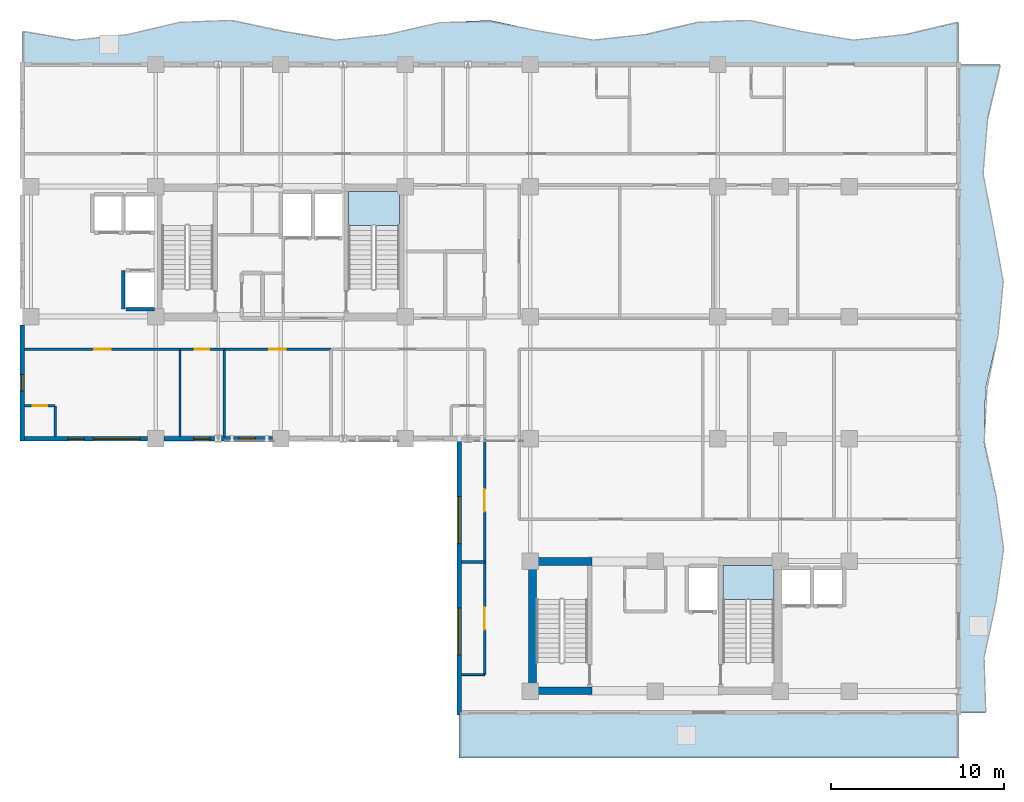
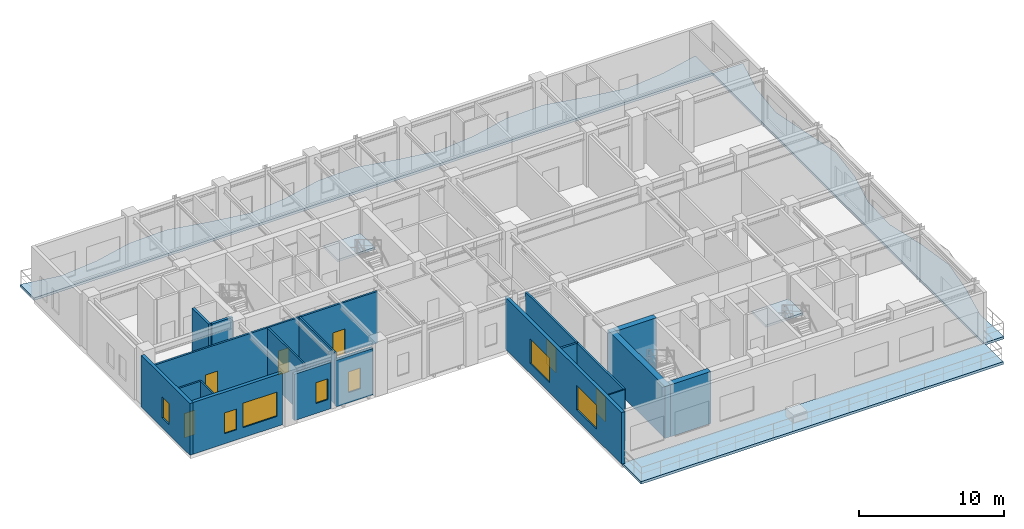
# One storey, part 5 of 14: 21 walls, 7 windows, 6 doors, 5 slabs, 13 openings, 2 elements without a shape of their own.
"""IFC4 building model written with IfcOpenShell, lengths in metres."""

from ifc_helpers import new_model, si_unit, direction, frame, frame_2d, origin, place, context, subcontext, project, spatial, polyline, rectangle, outline, extrude, material, layer, layer_set, type_object, element, fill, aggregate, save


model = new_model("IFC4")

# Units and contexts
model_context = context("Model", 3, precision=1e-05, world=origin(), true_north=direction((0.0, 1.0)))
body_context = subcontext(model_context, "Body", "Model", "MODEL_VIEW")
ifc_project = project(units=[si_unit("LENGTHUNIT", "METRE"), si_unit("AREAUNIT", "SQUARE_METRE"), si_unit("VOLUMEUNIT", "CUBIC_METRE"), si_unit("PLANEANGLEUNIT", "RADIAN"), si_unit("MASSUNIT", "GRAM", prefix="KILO")], contexts=[model_context])

# Site, building, storey
site_placement = place(None, origin())
site = spatial("IfcSite", under=ifc_project, at=site_placement, CompositionType="ELEMENT")
building_placement = place(site_placement, origin())
building = spatial("IfcBuilding", under=site, at=building_placement, Name="Kaliganga Portal Commons", CompositionType="ELEMENT")
storey_placement = place(building_placement, frame((0.0, 0.0, 197.199951171875)))
storey = spatial("IfcBuildingStorey", under=building, at=storey_placement, Name="L50", CompositionType="ELEMENT", Elevation=197.199951171875)

# Slabs
ifc_material_1 = material(Name="Concrete C40/50", Category="concrete")
ifc_layer_1 = layer(ifc_material_1, 0.2099609375)
ifc_layer_set_1 = layer_set([ifc_layer_1], Name="Concrete C40/50")
slab_type_1 = type_object("IfcSlabType", Name="SLB-BALC-210", PredefinedType="FLOOR", material=ifc_layer_set_1)
slab_1_placement = place(storey_placement, frame((0.0, 0.0, -0.2099609375)))
element("IfcSlab", 1, at=slab_1_placement, inside=storey, type_object=slab_type_1, Name="Scalloped Tree-Planter Balcony Slab L50 balc_north", PredefinedType="FLOOR", context=body_context, shape_type="SweptSolid", body=[
    extrude(outline(polyline([(60.699951171875, 43.199951171875), (60.699951171875, 45.62158203125), (57.699951171875, 44.91455078125), (54.699951171875, 44.589599609375), (51.699951171875, 45.095703125), (48.699951171875, 45.733642578125), (45.699951171875, 45.62158203125), (42.699951171875, 44.91455078125), (39.699951171875, 44.589599609375), (36.699951171875, 45.095703125), (33.699951171875, 45.733642578125), (30.699951171875, 45.62158203125), (27.699951171875, 44.91455078125), (24.699951171875, 44.589599609375), (21.699951171875, 45.095703125), (18.699951171875, 45.733642578125), (15.699951171875, 45.62158203125), (12.699951171875, 44.91455078125), (9.699951171875, 44.589599609375), (6.699951171875, 45.095703125), (6.699951171875, 43.199951171875), (60.699951171875, 43.199951171875)])), origin(), (0.0, 0.0, 1.0), 0.2099609375),
])
slab_2_placement = place(storey_placement, frame((0.0, 0.0, -0.2099609375)))
element("IfcSlab", 2, at=slab_2_placement, inside=storey, type_object=slab_type_1, Name="Scalloped Tree-Planter Balcony Slab L50 balc_east", PredefinedType="FLOOR", context=body_context, shape_type="SweptSolid", body=[
    extrude(outline(polyline([(60.699951171875, 5.800048828125), (62.260498046875, 5.800048828125), (62.16259765625, 8.916748046875), (62.844482421875, 12.033203125), (63.300048828125, 15.14990234375), (62.856689453125, 18.2666015625), (62.1689453125, 21.38330078125), (62.25146484375, 24.5), (62.982421875, 27.61669921875), (63.283447265625, 30.7333984375), (62.710205078125, 33.85009765625), (62.108642578125, 36.966796875), (62.366455078125, 40.083251953125), (63.103271484375, 43.199951171875), (60.699951171875, 43.199951171875), (60.699951171875, 5.800048828125)])), origin(), (0.0, 0.0, 1.0), 0.2099609375),
])

# Stair, slab
stair_type = type_object("IfcStairType", Name="ST-CORE-DOGLEG", PredefinedType="HALF_TURN_STAIR", material=ifc_material_1)
stair_1_placement = place(storey_placement, origin())
stair_1 = element("IfcStair", 3, at=stair_1_placement, inside=storey, type_object=stair_type, Name="L50 Protected Exit Stair ST-A2", PredefinedType="HALF_TURN_STAIR")
ifc_layer_2 = layer(ifc_material_1, 0.199951171875)
ifc_layer_set_2 = layer_set([ifc_layer_2], Name="Concrete C40/50")
slab_type_2 = type_object("IfcSlabType", Name="SLB-STAIR-LND", PredefinedType="LANDING", material=ifc_layer_set_2)
slab_3_placement = place(storey_placement, frame((0.0, 0.0, 2.10009765625)))
slab_3 = element("IfcSlab", 4, at=slab_3_placement, type_object=slab_type_2, Name="ST-A2 landing 1", PredefinedType="LANDING", context=body_context, shape_type="SweptSolid", body=[
    extrude(outline(polyline([(28.449951171875, 33.889892578125), (28.449951171875, 35.85009765625), (25.5, 35.85009765625), (25.5, 33.889892578125), (28.449951171875, 33.889892578125)])), origin(), (0.0, 0.0, 1.0), 0.199951171875),
])
aggregate(stair_1, [slab_3])

stair_2_placement = place(storey_placement, origin())
stair_2 = element("IfcStair", 5, at=stair_2_placement, inside=storey, type_object=stair_type, Name="L50 Protected Exit Stair ST-B2", PredefinedType="HALF_TURN_STAIR")
slab_4_placement = place(storey_placement, frame((0.0, 0.0, 2.10009765625)))
slab_4 = element("IfcSlab", 6, at=slab_4_placement, type_object=slab_type_2, Name="ST-B2 landing 1", PredefinedType="LANDING", context=body_context, shape_type="SweptSolid", body=[
    extrude(outline(polyline([(50.050048828125, 12.340087890625), (50.050048828125, 14.300048828125), (47.10009765625, 14.300048828125), (47.10009765625, 12.340087890625), (50.050048828125, 12.340087890625)])), origin(), (0.0, 0.0, 1.0), 0.199951171875),
])
aggregate(stair_2, [slab_4])

# Slab
ifc_layer_3 = layer(ifc_material_1, 0.219970703125)
ifc_layer_set_3 = layer_set([ifc_layer_3], Name="Concrete C40/50")
slab_type_3 = type_object("IfcSlabType", Name="SLB-TERR-220", PredefinedType="FLOOR", material=ifc_layer_set_3)
slab_5_placement = place(storey_placement, frame((0.0, 0.0, -0.219970703125)))
element("IfcSlab", 7, at=slab_5_placement, inside=storey, type_object=slab_type_3, Name="Block 4 Setback Sky-Garden Terrace", PredefinedType="FLOOR", context=body_context, shape_type="SweptSolid", body=[
    extrude(outline(polyline([(31.89990234375, 3.199951171875), (60.699951171875, 3.199951171875), (60.699951171875, 5.800048828125), (31.89990234375, 5.800048828125), (31.89990234375, 3.199951171875)])), origin(), (0.0, 0.0, 1.0), 0.219970703125),
])

# Walls
ifc_material_2 = material(Name="Concrete C60/75", Category="concrete")
ifc_layer_4 = layer(ifc_material_2, 0.449951171875)
ifc_layer_set_4 = layer_set([ifc_layer_4], Name="Concrete C60/75")
wall_type_1 = type_object("IfcWallType", Name="WL-CORE-450", PredefinedType="SHEAR", material=ifc_layer_set_4)
wall_1_placement = place(storey_placement, frame((36.125, 6.85009765625, 0.0), z_axis=(0.0, 0.0, 1.0), x_axis=(0.0, 1.0, 0.0)))
element("IfcWall", 8, at=wall_1_placement, inside=storey, type_object=wall_type_1, Name="Core B West Shear Wall L50", PredefinedType="SHEAR", context=body_context, shape_type="SweptSolid", body=[
    extrude(rectangle(XDim=7.89990234375, YDim=0.449951171875, at=frame_2d((3.949951171875, 0.0))), origin(), (0.0, 0.0, 1.0), 4.3701171875),
])
for number, where, z_axis, x_axis, name in (
    (9, (36.35009765625, 7.074951171875, 0.0), (0.0, 0.0, 1.0), (1.0, 0.0, 0.0), "Core B S-West Shear Wall L50"),
    (10, (36.35009765625, 14.52490234375, 0.0), (0.0, 0.0, 1.0), (1.0, 0.0, 0.0), "Core B N-West Shear Wall L50"),
):
    element("IfcWall", number, at=place(storey_placement, frame(where, z_axis=z_axis, x_axis=x_axis)), inside=storey, type_object=wall_type_1, Name=name, PredefinedType="SHEAR", context=body_context, shape_type="SweptSolid", body=[
        extrude(rectangle(XDim=3.199951171875, YDim=0.449951171875, at=frame_2d((1.60009765625, 0.0))), origin(), (0.0, 0.0, 1.0), 4.3701171875),
    ])

# Wall, opening, window
ifc_material_3 = material(Name="Insulated Aluminium-Clad Spandrel Assembly", Category="aluminium")
ifc_layer_5 = layer(ifc_material_3, 0.260009765625)
ifc_layer_set_5 = layer_set([ifc_layer_5], Name="Insulated Aluminium-Clad Spandrel Assembly")
wall_type_2 = type_object("IfcWallType", Name="WL-EXT-SPAND-260", PredefinedType="STANDARD", material=ifc_layer_set_5)
wall_2_placement = place(storey_placement, frame((6.699951171875, 21.469970703125, 0.0), z_axis=(0.0, 0.0, 1.0), x_axis=(0.0, 1.0, 0.0)))
wall_2 = element("IfcWall", 11, at=wall_2_placement, inside=storey, type_object=wall_type_2, Name="Exterior Envelope Wall L50 P1-E03-S3", PredefinedType="STANDARD", context=body_context, shape_type="SweptSolid", body=[
    extrude(rectangle(XDim=6.7041015625, YDim=0.260009765625, at=frame_2d((3.35205078125, 0.0))), origin(), (0.0, 0.0, 1.0), 4.35009765625),
])
opening_1_placement = place(wall_2_placement, frame((2.876953125, 0.0, 0.85009765625)))
opening_1 = element("IfcOpeningElement", 12, at=opening_1_placement, cuts=wall_2, Name="Opening W-04", PredefinedType="OPENING", context=body_context, shape_type="SweptSolid", body=[
    extrude(rectangle(XDim=0.949951171875, YDim=1.75, at=frame_2d((0.47509765625, 0.875))), frame((0.0, 0.14013671875, 0.0), z_axis=(0.0, -1.0, 0.0), x_axis=(1.0, 0.0, 0.0)), (0.0, 0.0, 1.0), 0.280029296875),
])
ifc_material_4 = material(Name="Thermally Broken Aluminium and Low-E Double Glazing", Category="aluminium")
window_type_1 = type_object("IfcWindowType", Name="WIN-NARROW-950", PartitioningType="SINGLE_PANEL", PredefinedType="WINDOW", material=ifc_material_4)
window_1_placement = place(opening_1_placement, origin())
window_1 = element("IfcWindow", 13, at=window_1_placement, inside=storey, type_object=window_type_1, Name="Facade Window L50-P1E03S3-N0", OverallHeight=1.75, OverallWidth=0.949951171875, PartitioningType="SINGLE_PANEL", PredefinedType="WINDOW", context=body_context, shape_type="SweptSolid", body=[
    extrude(rectangle(XDim=0.949951171875, YDim=1.75, at=frame_2d((0.47509765625, 0.875))), frame((0.0, 0.030029296875, 0.0), z_axis=(0.0, -1.0, 0.0), x_axis=(1.0, 0.0, 0.0)), (0.0, 0.0, 1.0), 0.06005859375),
])
fill(opening_1, window_1)

# Wall, openings, windows
wall_3_placement = place(storey_placement, frame((13.924072265625, 21.60009765625, 0.0), z_axis=(0.0, 0.0, 1.0), x_axis=(-1.0, 0.0, 0.0)))
wall_3 = element("IfcWall", 14, at=wall_3_placement, inside=storey, type_object=wall_type_2, Name="Exterior Envelope Wall L50 P1-E04-S1", PredefinedType="STANDARD", context=body_context, shape_type="SweptSolid", body=[
    extrude(rectangle(XDim=7.089111328125, YDim=0.260009765625, at=frame_2d((3.54443359375, 0.0))), origin(), (0.0, 0.0, 1.0), 4.35009765625),
])
opening_2_placement = place(wall_3_placement, frame((0.422119140625, 0.0, 0.85009765625)))
opening_2 = element("IfcOpeningElement", 15, at=opening_2_placement, cuts=wall_3, Name="Opening W-07", PredefinedType="OPENING", context=body_context, shape_type="SweptSolid", body=[
    extrude(rectangle(XDim=2.699951171875, YDim=2.050048828125, at=frame_2d((1.35009765625, 1.02490234375))), frame((0.0, 0.14013671875, 0.0), z_axis=(0.0, -1.0, 0.0), x_axis=(1.0, 0.0, 0.0)), (0.0, 0.0, 1.0), 0.280029296875),
])
opening_3_placement = place(wall_3_placement, frame((3.63671875, 0.0, 0.85009765625)))
opening_3 = element("IfcOpeningElement", 16, at=opening_3_placement, cuts=wall_3, Name="Opening W-04", PredefinedType="OPENING", context=body_context, shape_type="SweptSolid", body=[
    extrude(rectangle(XDim=0.949951171875, YDim=1.75, at=frame_2d((0.47509765625, 0.875))), frame((0.0, 0.14013671875, 0.0), z_axis=(0.0, -1.0, 0.0), x_axis=(1.0, 0.0, 0.0)), (0.0, 0.0, 1.0), 0.280029296875),
])
window_type_2 = type_object("IfcWindowType", Name="WIN-LOUNGE-2700", PartitioningType="TRIPLE_PANEL_VERTICAL", PredefinedType="WINDOW", material=ifc_material_4)
window_2_placement = place(opening_2_placement, origin())
window_2 = element("IfcWindow", 17, at=window_2_placement, inside=storey, type_object=window_type_2, Name="Facade Window L50-P1E04S1-00", OverallHeight=2.050048828125, OverallWidth=2.699951171875, PartitioningType="SINGLE_PANEL", PredefinedType="WINDOW", context=body_context, shape_type="SweptSolid", body=[
    extrude(rectangle(XDim=2.699951171875, YDim=2.050048828125, at=frame_2d((1.35009765625, 1.02490234375))), frame((0.0, 0.030029296875, 0.0), z_axis=(0.0, -1.0, 0.0), x_axis=(1.0, 0.0, 0.0)), (0.0, 0.0, 1.0), 0.06005859375),
])
fill(opening_2, window_2)
window_3_placement = place(opening_3_placement, origin())
window_3 = element("IfcWindow", 18, at=window_3_placement, inside=storey, type_object=window_type_1, Name="Facade Window L50-P1E04S1-N6", OverallHeight=1.75, OverallWidth=0.949951171875, PartitioningType="SINGLE_PANEL", PredefinedType="WINDOW", context=body_context, shape_type="SweptSolid", body=[
    extrude(rectangle(XDim=0.949951171875, YDim=1.75, at=frame_2d((0.47509765625, 0.875))), frame((0.0, 0.030029296875, 0.0), z_axis=(0.0, -1.0, 0.0), x_axis=(1.0, 0.0, 0.0)), (0.0, 0.0, 1.0), 0.06005859375),
])
fill(opening_3, window_3)

# Wall, opening, window
wall_4_placement = place(storey_placement, frame((17.799560546875, 21.60009765625, 0.0), z_axis=(0.0, 0.0, 1.0), x_axis=(-1.0, 0.0, 0.0)))
wall_4 = element("IfcWall", 19, at=wall_4_placement, inside=storey, type_object=wall_type_2, Name="Exterior Envelope Wall L50 P1-E04-S2", PredefinedType="STANDARD", context=body_context, shape_type="SweptSolid", body=[
    extrude(rectangle(XDim=2.923583984375, YDim=0.260009765625, at=frame_2d((1.4619140625, 0.0))), origin(), (0.0, 0.0, 1.0), 3.900146484375),
])
opening_4_placement = place(wall_4_placement, frame((0.26171875, 0.0, 0.85009765625)))
opening_4 = element("IfcOpeningElement", 20, at=opening_4_placement, cuts=wall_4, Name="Opening W-04", PredefinedType="OPENING", context=body_context, shape_type="SweptSolid", body=[
    extrude(rectangle(XDim=0.949951171875, YDim=1.75, at=frame_2d((0.47509765625, 0.875))), frame((0.0, 0.14013671875, 0.0), z_axis=(0.0, -1.0, 0.0), x_axis=(1.0, 0.0, 0.0)), (0.0, 0.0, 1.0), 0.280029296875),
])
window_4_placement = place(opening_4_placement, origin())
window_4 = element("IfcWindow", 21, at=window_4_placement, inside=storey, type_object=window_type_1, Name="Facade Window L50-P1E04S2-N1", OverallHeight=1.75, OverallWidth=0.949951171875, PartitioningType="SINGLE_PANEL", PredefinedType="WINDOW", context=body_context, shape_type="SweptSolid", body=[
    extrude(rectangle(XDim=0.949951171875, YDim=1.75, at=frame_2d((0.47509765625, 0.875))), frame((0.0, 0.030029296875, 0.0), z_axis=(0.0, -1.0, 0.0), x_axis=(1.0, 0.0, 0.0)), (0.0, 0.0, 1.0), 0.06005859375),
])
fill(opening_4, window_4)

wall_5_placement = place(storey_placement, frame((21.1240234375, 21.60009765625, 0.0), z_axis=(0.0, 0.0, 1.0), x_axis=(-1.0, 0.0, 0.0)))
wall_5 = element("IfcWall", 22, at=wall_5_placement, inside=storey, type_object=wall_type_2, Name="Exterior Envelope Wall L50 P1-E04-S3", PredefinedType="STANDARD", context=body_context, shape_type="SweptSolid", body=[
    extrude(rectangle(XDim=2.923583984375, YDim=0.260009765625, at=frame_2d((1.4619140625, 0.0))), origin(), (0.0, 0.0, 1.0), 3.900146484375),
])
opening_5_placement = place(wall_5_placement, frame((0.98681640625, 0.0, 0.85009765625)))
opening_5 = element("IfcOpeningElement", 23, at=opening_5_placement, cuts=wall_5, Name="Opening W-04", PredefinedType="OPENING", context=body_context, shape_type="SweptSolid", body=[
    extrude(rectangle(XDim=0.949951171875, YDim=1.75, at=frame_2d((0.47509765625, 0.875))), frame((0.0, 0.14013671875, 0.0), z_axis=(0.0, -1.0, 0.0), x_axis=(1.0, 0.0, 0.0)), (0.0, 0.0, 1.0), 0.280029296875),
])
window_5_placement = place(opening_5_placement, origin())
window_5 = element("IfcWindow", 24, at=window_5_placement, inside=storey, type_object=window_type_1, Name="Facade Window L50-P1E04S3-00", OverallHeight=1.75, OverallWidth=0.949951171875, PartitioningType="SINGLE_PANEL", PredefinedType="WINDOW", context=body_context, shape_type="SweptSolid", body=[
    extrude(rectangle(XDim=0.949951171875, YDim=1.75, at=frame_2d((0.47509765625, 0.875))), frame((0.0, 0.030029296875, 0.0), z_axis=(0.0, -1.0, 0.0), x_axis=(1.0, 0.0, 0.0)), (0.0, 0.0, 1.0), 0.06005859375),
])
fill(opening_5, window_5)

# Wall, openings, windows
wall_6_placement = place(storey_placement, frame((31.89990234375, 5.669921875, 0.0), z_axis=(0.0, 0.0, 1.0), x_axis=(0.0, 1.0, 0.0)))
wall_6 = element("IfcWall", 25, at=wall_6_placement, inside=storey, type_object=wall_type_2, Name="Exterior Envelope Wall L50 P1-E05-S1", PredefinedType="STANDARD", context=body_context, shape_type="SweptSolid", body=[
    extrude(rectangle(XDim=16.06005859375, YDim=0.260009765625, at=frame_2d((8.030029296875, 0.0))), origin(), (0.0, 0.0, 1.0), 4.35009765625),
])
opening_6_placement = place(wall_6_placement, frame((3.468017578125, 0.0, 0.85009765625)))
opening_6 = element("IfcOpeningElement", 26, at=opening_6_placement, cuts=wall_6, Name="Opening W-07", PredefinedType="OPENING", context=body_context, shape_type="SweptSolid", body=[
    extrude(rectangle(XDim=2.699951171875, YDim=2.050048828125, at=frame_2d((1.35009765625, 1.02490234375))), frame((0.0, 0.14013671875, 0.0), z_axis=(0.0, -1.0, 0.0), x_axis=(1.0, 0.0, 0.0)), (0.0, 0.0, 1.0), 0.280029296875),
])
opening_7_placement = place(wall_6_placement, frame((9.89208984375, 0.0, 0.85009765625)))
opening_7 = element("IfcOpeningElement", 27, at=opening_7_placement, cuts=wall_6, Name="Opening W-07", PredefinedType="OPENING", context=body_context, shape_type="SweptSolid", body=[
    extrude(rectangle(XDim=2.699951171875, YDim=2.050048828125, at=frame_2d((1.35009765625, 1.02490234375))), frame((0.0, 0.14013671875, 0.0), z_axis=(0.0, -1.0, 0.0), x_axis=(1.0, 0.0, 0.0)), (0.0, 0.0, 1.0), 0.280029296875),
])
window_6_placement = place(opening_6_placement, origin())
window_6 = element("IfcWindow", 28, at=window_6_placement, inside=storey, type_object=window_type_2, Name="Facade Window L50-P1E05S1-01", OverallHeight=2.050048828125, OverallWidth=2.699951171875, PartitioningType="SINGLE_PANEL", PredefinedType="WINDOW", context=body_context, shape_type="SweptSolid", body=[
    extrude(rectangle(XDim=2.699951171875, YDim=2.050048828125, at=frame_2d((1.35009765625, 1.02490234375))), frame((0.0, 0.030029296875, 0.0), z_axis=(0.0, -1.0, 0.0), x_axis=(1.0, 0.0, 0.0)), (0.0, 0.0, 1.0), 0.06005859375),
])
fill(opening_6, window_6)
window_7_placement = place(opening_7_placement, origin())
window_7 = element("IfcWindow", 29, at=window_7_placement, inside=storey, type_object=window_type_2, Name="Facade Window L50-P1E05S1-03", OverallHeight=2.050048828125, OverallWidth=2.699951171875, PartitioningType="SINGLE_PANEL", PredefinedType="WINDOW", context=body_context, shape_type="SweptSolid", body=[
    extrude(rectangle(XDim=2.699951171875, YDim=2.050048828125, at=frame_2d((1.35009765625, 1.02490234375))), frame((0.0, 0.030029296875, 0.0), z_axis=(0.0, -1.0, 0.0), x_axis=(1.0, 0.0, 0.0)), (0.0, 0.0, 1.0), 0.06005859375),
])
fill(opening_7, window_7)

# Wall, opening, door
ifc_material_5 = material(Name="Fire-Rated Gypsum Board on Steel Stud", Category="steel")
ifc_layer_6 = layer(ifc_material_5, 0.14990234375)
ifc_layer_set_6 = layer_set([ifc_layer_6], Name="Fire-Rated Gypsum Board on Steel Stud")
wall_type_3 = type_object("IfcWallType", Name="WL-PART-CORR-150", PredefinedType="PARTITIONING", material=ifc_layer_set_6)
wall_7_placement = place(storey_placement, frame((6.83203125, 26.760009765625, 0.0), z_axis=(0.0, 0.0, 1.0), x_axis=(1.0, 0.0, 0.0)))
wall_7 = element("IfcWall", 30, at=wall_7_placement, inside=storey, type_object=wall_type_3, Name="Interior Partition L50-020", PredefinedType="PARTITIONING", context=body_context, shape_type="SweptSolid", body=[
    extrude(rectangle(XDim=8.968017578125, YDim=0.14990234375, at=frame_2d((4.48388671875, 0.0))), origin(), (0.0, 0.0, 1.0), 4.35009765625),
])
opening_8_placement = place(wall_7_placement, frame((4.009033203125, 0.0, 0.0)))
opening_8 = element("IfcOpeningElement", 31, at=opening_8_placement, cuts=wall_7, Name="Opening UD-01", PredefinedType="OPENING", context=body_context, shape_type="SweptSolid", body=[
    extrude(rectangle(XDim=0.949951171875, YDim=2.10009765625, at=frame_2d((0.47509765625, 1.050048828125))), frame((0.0, 0.0849609375, 0.0), z_axis=(0.0, -1.0, 0.0), x_axis=(1.0, 0.0, 0.0)), (0.0, 0.0, 1.0), 0.169921875),
])
ifc_material_6 = material(Name="Solid-Core Timber Acoustic Fire Door", Category="wood")
door_type_1 = type_object("IfcDoorType", Name="DR-UNIT-950", OperationType="NOTDEFINED", PredefinedType="DOOR", material=ifc_material_6)
door_1_placement = place(opening_8_placement, origin())
door_1 = element("IfcDoor", 32, at=door_1_placement, inside=storey, type_object=door_type_1, Name="Interior Door L50-AS01", OperationType="SINGLE_SWING_RIGHT", OverallHeight=2.10009765625, OverallWidth=0.949951171875, PredefinedType="DOOR", context=body_context, shape_type="SweptSolid", body=[
    extrude(rectangle(XDim=0.949951171875, YDim=2.10009765625, at=frame_2d((0.47509765625, 1.050048828125))), frame((0.0, 0.02490234375, 0.0), z_axis=(0.0, -1.0, 0.0), x_axis=(1.0, 0.0, 0.0)), (0.0, 0.0, 1.0), 0.050048828125),
])
fill(opening_8, door_1)

wall_8_placement = place(storey_placement, frame((33.360107421875, 14.5, 0.0), z_axis=(0.0, 0.0, 1.0), x_axis=(0.0, 1.0, 0.0)))
wall_8 = element("IfcWall", 33, at=wall_8_placement, inside=storey, type_object=wall_type_3, Name="Interior Partition L50-026", PredefinedType="PARTITIONING", context=body_context, shape_type="SweptSolid", body=[
    extrude(rectangle(XDim=7.10009765625, YDim=0.14990234375, at=frame_2d((3.550048828125, 0.0))), origin(), (0.0, 0.0, 1.0), 4.35009765625),
])
opening_9_placement = place(wall_8_placement, frame((2.89990234375, 0.0, 0.0)))
opening_9 = element("IfcOpeningElement", 34, at=opening_9_placement, cuts=wall_8, Name="Opening RD-03", PredefinedType="OPENING", context=body_context, shape_type="SweptSolid", body=[
    extrude(rectangle(XDim=1.300048828125, YDim=2.1201171875, at=frame_2d((0.64990234375, 1.06005859375))), frame((0.0, 0.0849609375, 0.0), z_axis=(0.0, -1.0, 0.0), x_axis=(1.0, 0.0, 0.0)), (0.0, 0.0, 1.0), 0.169921875),
])
ifc_material_7 = material(Name="Glazed Timber Seminar Vision Door", Category="wood")
door_type_2 = type_object("IfcDoorType", Name="DR-STUDY-1300", OperationType="DOUBLE_DOOR_SINGLE_SWING", PredefinedType="DOOR", material=ifc_material_7)
door_2_placement = place(opening_9_placement, origin())
door_2 = element("IfcDoor", 35, at=door_2_placement, inside=storey, type_object=door_type_2, Name="Interior Door L50-KW02", OperationType="DOUBLE_DOOR_SINGLE_SWING", OverallHeight=2.1201171875, OverallWidth=1.300048828125, PredefinedType="DOOR", context=body_context, shape_type="SweptSolid", body=[
    extrude(rectangle(XDim=1.300048828125, YDim=2.1201171875, at=frame_2d((0.64990234375, 1.06005859375))), frame((0.0, 0.02490234375, 0.0), z_axis=(0.0, -1.0, 0.0), x_axis=(1.0, 0.0, 0.0)), (0.0, 0.0, 1.0), 0.050048828125),
])
fill(opening_9, door_2)

wall_9_placement = place(storey_placement, frame((33.360107421875, 8.0, 0.0), z_axis=(0.0, 0.0, 1.0), x_axis=(0.0, 1.0, 0.0)))
wall_9 = element("IfcWall", 36, at=wall_9_placement, inside=storey, type_object=wall_type_3, Name="Interior Partition L50-027", PredefinedType="PARTITIONING", context=body_context, shape_type="SweptSolid", body=[
    extrude(rectangle(XDim=6.5, YDim=0.14990234375, at=frame_2d((3.25, 0.0))), origin(), (0.0, 0.0, 1.0), 4.35009765625),
])
opening_10_placement = place(wall_9_placement, frame((2.60009765625, 0.0, 0.0)))
opening_10 = element("IfcOpeningElement", 37, at=opening_10_placement, cuts=wall_9, Name="Opening RD-03", PredefinedType="OPENING", context=body_context, shape_type="SweptSolid", body=[
    extrude(rectangle(XDim=1.300048828125, YDim=2.1201171875, at=frame_2d((0.64990234375, 1.06005859375))), frame((0.0, 0.0849609375, 0.0), z_axis=(0.0, -1.0, 0.0), x_axis=(1.0, 0.0, 0.0)), (0.0, 0.0, 1.0), 0.169921875),
])
door_3_placement = place(opening_10_placement, origin())
door_3 = element("IfcDoor", 38, at=door_3_placement, inside=storey, type_object=door_type_2, Name="Interior Door L50-KW01", OperationType="DOUBLE_DOOR_SINGLE_SWING", OverallHeight=2.1201171875, OverallWidth=1.300048828125, PredefinedType="DOOR", context=body_context, shape_type="SweptSolid", body=[
    extrude(rectangle(XDim=1.300048828125, YDim=2.1201171875, at=frame_2d((0.64990234375, 1.06005859375))), frame((0.0, 0.02490234375, 0.0), z_axis=(0.0, -1.0, 0.0), x_axis=(1.0, 0.0, 0.0)), (0.0, 0.0, 1.0), 0.050048828125),
])
fill(opening_10, door_3)

wall_10_placement = place(storey_placement, frame((18.340087890625, 26.760009765625, 0.0), z_axis=(0.0, 0.0, 1.0), x_axis=(1.0, 0.0, 0.0)))
wall_10 = element("IfcWall", 39, at=wall_10_placement, inside=storey, type_object=wall_type_3, Name="Interior Partition L50-028", PredefinedType="PARTITIONING", context=body_context, shape_type="SweptSolid", body=[
    extrude(rectangle(XDim=6.159912109375, YDim=0.14990234375, at=frame_2d((3.080078125, 0.0))), origin(), (0.0, 0.0, 1.0), 4.35009765625),
])
opening_11_placement = place(wall_10_placement, frame((2.60498046875, 0.0, 0.0)))
opening_11 = element("IfcOpeningElement", 40, at=opening_11_placement, cuts=wall_10, Name="Opening UD-01", PredefinedType="OPENING", context=body_context, shape_type="SweptSolid", body=[
    extrude(rectangle(XDim=0.949951171875, YDim=2.10009765625, at=frame_2d((0.47509765625, 1.050048828125))), frame((0.0, 0.0849609375, 0.0), z_axis=(0.0, -1.0, 0.0), x_axis=(1.0, 0.0, 0.0)), (0.0, 0.0, 1.0), 0.169921875),
])
door_4_placement = place(opening_11_placement, origin())
door_4 = element("IfcDoor", 41, at=door_4_placement, inside=storey, type_object=door_type_1, Name="Interior Door L50-AS03", OperationType="SINGLE_SWING_RIGHT", OverallHeight=2.10009765625, OverallWidth=0.949951171875, PredefinedType="DOOR", context=body_context, shape_type="SweptSolid", body=[
    extrude(rectangle(XDim=0.949951171875, YDim=2.10009765625, at=frame_2d((0.47509765625, 1.050048828125))), frame((0.0, 0.02490234375, 0.0), z_axis=(0.0, -1.0, 0.0), x_axis=(1.0, 0.0, 0.0)), (0.0, 0.0, 1.0), 0.050048828125),
])
fill(opening_11, door_4)

wall_11_placement = place(storey_placement, frame((15.800048828125, 26.760009765625, 0.0), z_axis=(0.0, 0.0, 1.0), x_axis=(1.0, 0.0, 0.0)))
wall_11 = element("IfcWall", 42, at=wall_11_placement, inside=storey, type_object=wall_type_3, Name="Interior Partition L50-042", PredefinedType="PARTITIONING", context=body_context, shape_type="SweptSolid", body=[
    extrude(rectangle(XDim=2.5400390625, YDim=0.14990234375, at=frame_2d((1.27001953125, 0.0))), origin(), (0.0, 0.0, 1.0), 4.35009765625),
])
opening_12_placement = place(wall_11_placement, frame((0.844970703125, 0.0, 0.0)))
opening_12 = element("IfcOpeningElement", 43, at=opening_12_placement, cuts=wall_11, Name="Opening WD-01", PredefinedType="OPENING", context=body_context, shape_type="SweptSolid", body=[
    extrude(rectangle(XDim=0.85009765625, YDim=2.0400390625, at=frame_2d((0.425048828125, 1.02001953125))), frame((0.0, 0.0849609375, 0.0), z_axis=(0.0, -1.0, 0.0), x_axis=(1.0, 0.0, 0.0)), (0.0, 0.0, 1.0), 0.169921875),
])
ifc_material_8 = material(Name="Moisture-Resistant Laminate Timber Door", Category="wood")
door_type_3 = type_object("IfcDoorType", Name="DR-WET-850", OperationType="NOTDEFINED", PredefinedType="DOOR", material=ifc_material_8)
door_5_placement = place(opening_12_placement, origin())
door_5 = element("IfcDoor", 44, at=door_5_placement, inside=storey, type_object=door_type_3, Name="Interior Door L50-AS02", OperationType="SINGLE_SWING_RIGHT", OverallHeight=2.0400390625, OverallWidth=0.85009765625, PredefinedType="DOOR", context=body_context, shape_type="SweptSolid", body=[
    extrude(rectangle(XDim=0.85009765625, YDim=2.0400390625, at=frame_2d((0.425048828125, 1.02001953125))), frame((0.0, 0.02490234375, 0.0), z_axis=(0.0, -1.0, 0.0), x_axis=(1.0, 0.0, 0.0)), (0.0, 0.0, 1.0), 0.050048828125),
])
fill(opening_12, door_5)

# Walls
ifc_material_9 = material(Name="Moisture-Resistant Gypsum Partition", Category="gypsum")
ifc_layer_7 = layer(ifc_material_9, 0.114990234375)
ifc_layer_set_7 = layer_set([ifc_layer_7], Name="Moisture-Resistant Gypsum Partition")
wall_type_4 = type_object("IfcWallType", Name="WL-PART-ROOM-115", PredefinedType="PARTITIONING", material=ifc_layer_set_7)
wall_12_placement = place(storey_placement, frame((32.031982421875, 8.0, 0.0), z_axis=(0.0, 0.0, 1.0), x_axis=(1.0, 0.0, 0.0)))
element("IfcWall", 45, at=wall_12_placement, inside=storey, type_object=wall_type_4, Name="Interior Partition L50-088", PredefinedType="PARTITIONING", context=body_context, shape_type="SweptSolid", body=[
    extrude(rectangle(XDim=1.328125, YDim=0.114990234375, at=frame_2d((0.6640625, 0.0))), origin(), (0.0, 0.0, 1.0), 4.35009765625),
])
ifc_material_10 = material(Name="Twin-Stud Acoustic Gypsum Partition", Category="gypsum")
ifc_layer_8 = layer(ifc_material_10, 0.1650390625)
ifc_layer_set_8 = layer_set([ifc_layer_8], Name="Twin-Stud Acoustic Gypsum Partition")
wall_type_5 = type_object("IfcWallType", Name="WL-PART-UNIT-165", PredefinedType="PARTITIONING", material=ifc_layer_set_8)
wall_13_placement = place(storey_placement, frame((32.031982421875, 14.5, 0.0), z_axis=(0.0, 0.0, 1.0), x_axis=(1.0, 0.0, 0.0)))
element("IfcWall", 46, at=wall_13_placement, inside=storey, type_object=wall_type_5, Name="Interior Partition L50-089", PredefinedType="PARTITIONING", context=body_context, shape_type="SweptSolid", body=[
    extrude(rectangle(XDim=1.328125, YDim=0.1650390625, at=frame_2d((0.6640625, 0.0))), origin(), (0.0, 0.0, 1.0), 4.35009765625),
])

# Wall, opening, door
ifc_material_11 = material(Name="Cement-Board Wet-Room Partition", Category="gypsum")
ifc_layer_9 = layer(ifc_material_11, 0.135009765625)
ifc_layer_set_9 = layer_set([ifc_layer_9], Name="Cement-Board Wet-Room Partition")
wall_type_6 = type_object("IfcWallType", Name="WL-PART-WET-135", PredefinedType="PARTITIONING", material=ifc_layer_set_9)
wall_14_placement = place(storey_placement, frame((6.83203125, 23.5, 0.0), z_axis=(0.0, 0.0, 1.0), x_axis=(1.0, 0.0, 0.0)))
wall_14 = element("IfcWall", 47, at=wall_14_placement, inside=storey, type_object=wall_type_6, Name="Interior Partition L50-006", PredefinedType="PARTITIONING", context=body_context, shape_type="SweptSolid", body=[
    extrude(rectangle(XDim=1.76806640625, YDim=0.135009765625, at=frame_2d((0.884033203125, 0.0))), origin(), (0.0, 0.0, 1.0), 4.35009765625),
])
opening_13_placement = place(wall_14_placement, frame((0.458984375, 0.0, 0.0)))
opening_13 = element("IfcOpeningElement", 48, at=opening_13_placement, cuts=wall_14, Name="Opening WD-01", PredefinedType="OPENING", context=body_context, shape_type="SweptSolid", body=[
    extrude(rectangle(XDim=0.85009765625, YDim=2.0400390625, at=frame_2d((0.425048828125, 1.02001953125))), frame((0.0, 0.07763671875, 0.0), z_axis=(0.0, -1.0, 0.0), x_axis=(1.0, 0.0, 0.0)), (0.0, 0.0, 1.0), 0.155029296875),
])
door_6_placement = place(opening_13_placement, origin())
door_6 = element("IfcDoor", 49, at=door_6_placement, inside=storey, type_object=door_type_3, Name="Interior Door L50-AS01E", OperationType="SINGLE_SWING_RIGHT", OverallHeight=2.0400390625, OverallWidth=0.85009765625, PredefinedType="DOOR", context=body_context, shape_type="SweptSolid", body=[
    extrude(rectangle(XDim=0.85009765625, YDim=2.0400390625, at=frame_2d((0.425048828125, 1.02001953125))), frame((0.0, 0.02490234375, 0.0), z_axis=(0.0, -1.0, 0.0), x_axis=(1.0, 0.0, 0.0)), (0.0, 0.0, 1.0), 0.050048828125),
])
fill(opening_13, door_6)

# Walls
wall_15_placement = place(storey_placement, frame((8.60009765625, 21.73193359375, 0.0), z_axis=(0.0, 0.0, 1.0), x_axis=(0.0, 1.0, 0.0)))
element("IfcWall", 50, at=wall_15_placement, inside=storey, type_object=wall_type_6, Name="Interior Partition L50-009", PredefinedType="PARTITIONING", context=body_context, shape_type="SweptSolid", body=[
    extrude(rectangle(XDim=1.76806640625, YDim=0.135009765625, at=frame_2d((0.884033203125, 0.0))), origin(), (0.0, 0.0, 1.0), 4.35009765625),
])
for number, where, z_axis, x_axis, name in (
    (51, (15.800048828125, 21.73193359375, 0.0), (0.0, 0.0, 1.0), (0.0, 1.0, 0.0), "Interior Partition L50-070"),
    (52, (18.340087890625, 21.73193359375, 0.0), (0.0, 0.0, 1.0), (0.0, 1.0, 0.0), "Interior Partition L50-071"),
):
    element("IfcWall", number, at=place(storey_placement, frame(where, z_axis=z_axis, x_axis=x_axis)), inside=storey, type_object=wall_type_6, Name=name, PredefinedType="PARTITIONING", context=body_context, shape_type="SweptSolid", body=[
        extrude(rectangle(XDim=5.028076171875, YDim=0.135009765625, at=frame_2d((2.51416015625, 0.0))), origin(), (0.0, 0.0, 1.0), 4.35009765625),
    ])
ifc_material_12 = material(Name="Fire-Rated Shaftwall Masonry Assembly", Category="masonry")
ifc_layer_10 = layer(ifc_material_12, 0.199951171875)
ifc_layer_set_10 = layer_set([ifc_layer_10], Name="Fire-Rated Shaftwall Masonry Assembly")
wall_type_7 = type_object("IfcWallType", Name="WL-SHAFT-200", PredefinedType="PARTITIONING", material=ifc_layer_set_10)
wall_16_placement = place(storey_placement, frame((12.675048828125, 29.0849609375, 0.0), z_axis=(0.0, 0.0, 1.0), x_axis=(1.0, 0.0, 0.0)))
element("IfcWall", 53, at=wall_16_placement, inside=storey, type_object=wall_type_7, Name="Lift PL-A4 Hoistway Shaft Wall L50-S", PredefinedType="PARTITIONING", context=body_context, shape_type="SweptSolid", body=[
    extrude(rectangle(XDim=1.64990234375, YDim=0.199951171875, at=frame_2d((0.824951171875, 0.0))), origin(), (0.0, 0.0, 1.0), 4.35009765625),
])
wall_17_placement = place(storey_placement, frame((12.534912109375, 29.0849609375, 0.0), z_axis=(0.0, 0.0, 1.0), x_axis=(0.0, 1.0, 0.0)))
element("IfcWall", 54, at=wall_17_placement, inside=storey, type_object=wall_type_7, Name="Lift PL-A4 Hoistway Shaft Wall L50-W", PredefinedType="PARTITIONING", context=body_context, shape_type="SweptSolid", body=[
    extrude(rectangle(XDim=2.22998046875, YDim=0.199951171875, at=frame_2d((1.114990234375, 0.0))), origin(), (0.0, 0.0, 1.0), 4.35009765625),
])

save(model, "model.ifc")
